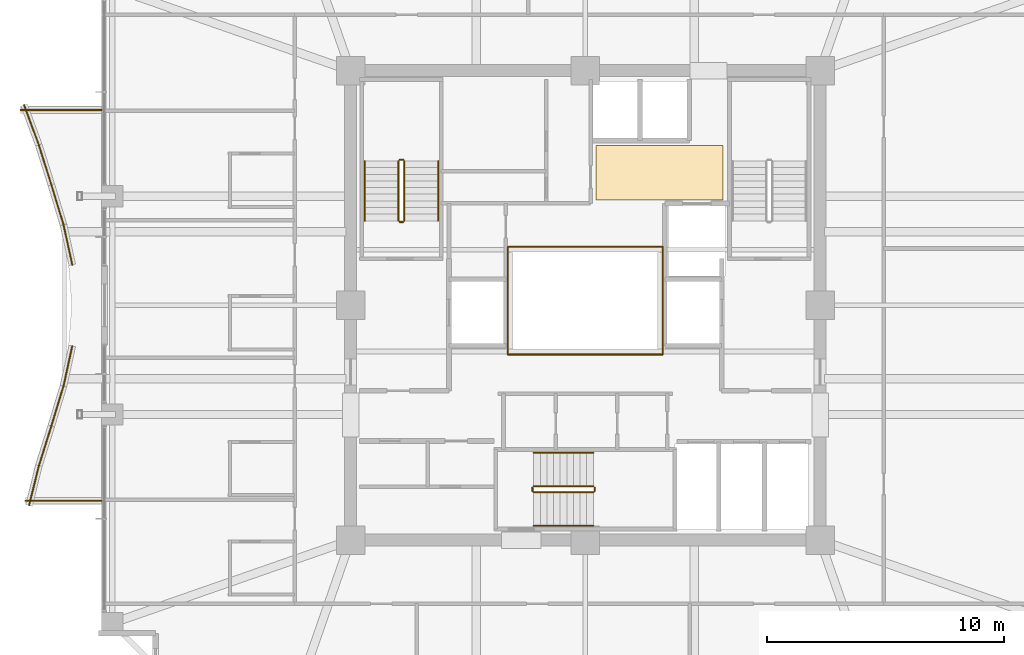
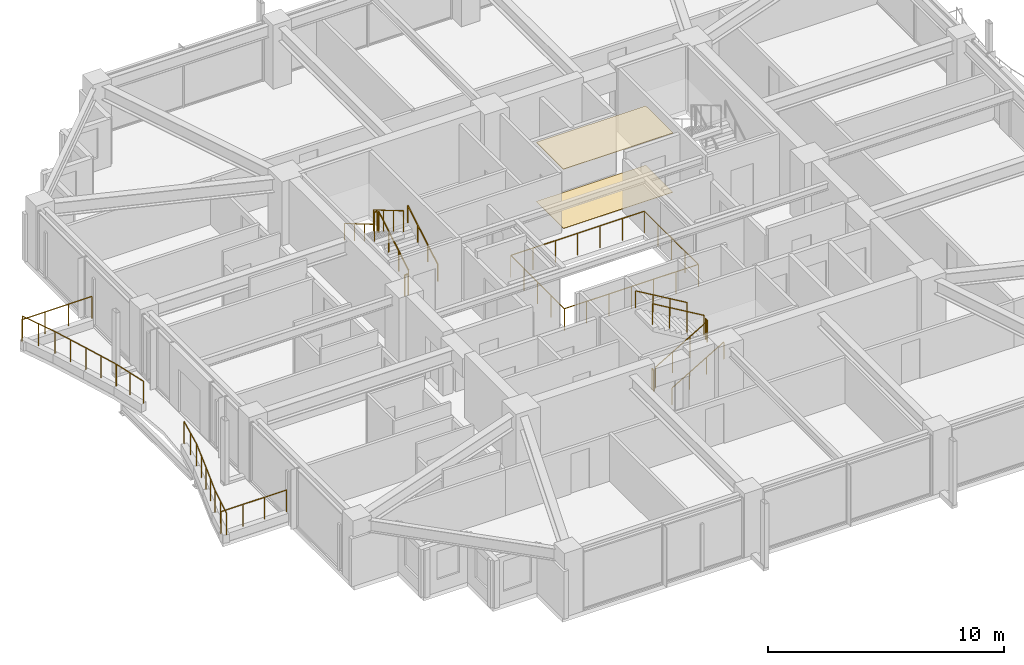
# One storey, part 34 of 35: 26 railings, 2 coverings.
"""IFC4 building model written with IfcOpenShell, lengths in metres."""

import ifcopenshell
import ifcopenshell.guid

model = None  # the IFC model being written
_history = None  # IfcOwnerHistory: only IFC2X3 demands one
_inside = {}  # id of a spatial element -> (the spatial element, [elements in it])
_under = {}  # id of a project, library or spatial element -> (it, [spatial elements below it])
_declared = {}  # id of a project -> (the project, [libraries it declares])
_typed = {}  # id of a type object -> (the type object, [elements of that type])
_made_of = {}  # id of a material, layer set ... -> (it, [elements and type objects made of it])


def new_model(schema):
    """Start an empty IFC model of exactly this schema.

    Asked for "IFC4X3", IfcOpenShell would pick the latest addendum, in which some entities
    have other attributes; the version numbers below select the first issue.
    IFC2X3 requires an IfcOwnerHistory on every rooted entity: one is made here for all.
    """
    global model, _history
    if schema == "IFC4X3":
        model = ifcopenshell.file(schema_version=(4, 3, 0, 0))
    else:
        model = ifcopenshell.file(schema=schema)
    _inside.clear()
    _under.clear()
    _declared.clear()
    _typed.clear()
    _made_of.clear()
    _history = None
    if model.schema == "IFC2X3":
        org = make("IfcOrganization", Name="unknown")
        user = make(
            "IfcPersonAndOrganization",
            ThePerson=make("IfcPerson", FamilyName="unknown"),
            TheOrganization=org,
        )
        app = make(
            "IfcApplication",
            ApplicationDeveloper=org,
            Version="unknown",
            ApplicationFullName="unknown",
            ApplicationIdentifier="unknown",
        )
        _history = make(
            "IfcOwnerHistory",
            OwningUser=user,
            OwningApplication=app,
            ChangeAction="ADDED",
            CreationDate=0,
        )
    return model


def make(cls, **values):
    """One entity of the class cls with the attributes given. An attribute that is None is left unset."""
    return model.create_entity(
        cls, **{name: value for name, value in values.items() if value is not None}
    )


def rooted(cls, **values):
    """An entity with a GlobalId (a new one), such as an element, a storey or a relation."""
    return make(cls, GlobalId=ifcopenshell.guid.new(), OwnerHistory=_history, **values)


def si_unit(unit_type, name, prefix=None):
    """IfcSIUnit, for example si_unit("LENGTHUNIT", "METRE", prefix="MILLI")."""
    return make("IfcSIUnit", UnitType=unit_type, Prefix=prefix, Name=name)


def assignment(units):
    """IfcUnitAssignment: the units of a project."""
    return None if units is None else make("IfcUnitAssignment", Units=units)


def point(xyz):
    """IfcCartesianPoint."""
    return None if xyz is None else make("IfcCartesianPoint", Coordinates=xyz)


def direction(xyz):
    """IfcDirection."""
    return None if xyz is None else make("IfcDirection", DirectionRatios=xyz)


def frame(location, z_axis=None, x_axis=None):
    """IfcAxis2Placement3D, a coordinate frame: its origin and axes. An axis left out is left unset."""
    return make(
        "IfcAxis2Placement3D",
        Location=point(location),
        Axis=direction(z_axis),
        RefDirection=direction(x_axis),
    )


def frame_2d(location, x_axis=None):
    """IfcAxis2Placement2D, a coordinate frame in the plane: its origin and x axis."""
    return make(
        "IfcAxis2Placement2D", Location=point(location), RefDirection=direction(x_axis)
    )


def origin():
    """The frame at (0, 0, 0) with its axes left unset."""
    return frame((0.0, 0.0, 0.0))


def origin_2d():
    """The frame at (0, 0) in the plane with its x axis left unset."""
    return frame_2d((0.0, 0.0))


def place(relative_to, where):
    """IfcLocalPlacement: puts the frame where relative to a parent placement (None: the world)."""
    return make(
        "IfcLocalPlacement", PlacementRelTo=relative_to, RelativePlacement=where
    )


def context(
    kind, dimensions, precision=None, world=None, true_north=None, identifier=None
):
    """IfcGeometricRepresentationContext, for example the 3D "Model" context."""
    return make(
        "IfcGeometricRepresentationContext",
        ContextIdentifier=identifier,
        ContextType=kind,
        CoordinateSpaceDimension=dimensions,
        Precision=precision,
        WorldCoordinateSystem=world,
        TrueNorth=true_north,
    )


def subcontext(parent, identifier, kind, view, scale=None):
    """IfcGeometricRepresentationSubContext, for example "Body" below "Model"."""
    return make(
        "IfcGeometricRepresentationSubContext",
        ContextIdentifier=identifier,
        ContextType=kind,
        ParentContext=parent,
        TargetScale=scale,
        TargetView=view,
    )


def project(units=None, contexts=None):
    """IfcProject with its units and contexts."""
    return rooted(
        "IfcProject",
        Name="project",
        RepresentationContexts=contexts,
        UnitsInContext=assignment(units),
    )


def spatial(cls, under=None, at=None, **own):
    """A site, building, storey or space (cls), placed at a placement, below another one or the project."""
    s = rooted(cls, ObjectPlacement=at, **own)
    if under is not None:
        _under.setdefault(under.id(), (under, []))[1].append(s)
    return s


def polyline(points):
    """IfcPolyline through the points."""
    return make("IfcPolyline", Points=[point(p) for p in points])


def profile(cls, at=None, kind="AREA", **sizes):
    """A parametric profile (cls). Its sizes go by their IFC names, for example OverallWidth=200.0."""
    return make(cls, ProfileType=kind, Position=at, **sizes)


def circle(**sizes):
    """IfcCircleProfileDef."""
    return profile("IfcCircleProfileDef", **sizes)


def outline(outer, holes=None, kind="AREA"):
    """IfcArbitraryClosedProfileDef: a profile drawn as a closed curve; with holes, ...WithVoids."""
    if holes is None:
        return make("IfcArbitraryClosedProfileDef", ProfileType=kind, OuterCurve=outer)
    return make(
        "IfcArbitraryProfileDefWithVoids",
        ProfileType=kind,
        OuterCurve=outer,
        InnerCurves=holes,
    )


def extrude(swept, where, along, depth):
    """IfcExtrudedAreaSolid: the profile swept, set in the frame where, extruded along a direction by depth."""
    return make(
        "IfcExtrudedAreaSolid",
        SweptArea=swept,
        Position=where,
        ExtrudedDirection=direction(along),
        Depth=depth,
    )


def shape(context_of_items, identifier, shape_type, items):
    """IfcShapeRepresentation: the items that make up one representation, for example the "Body"."""
    return make(
        "IfcShapeRepresentation",
        ContextOfItems=context_of_items,
        RepresentationIdentifier=identifier,
        RepresentationType=shape_type,
        Items=items,
    )


def material(Name=None, Category=None):
    """IfcMaterial."""
    return make("IfcMaterial", Name=Name, Category=Category)


def layer(
    of_material, thickness, ventilated=None, Name=None, Category=None, Priority=None
):
    """IfcMaterialLayer: one layer of a wall or slab, of a material (None: an air gap)."""
    return make(
        "IfcMaterialLayer",
        Material=of_material,
        LayerThickness=thickness,
        IsVentilated=ventilated,
        Name=Name,
        Category=Category,
        Priority=Priority,
    )


def layer_set(layers, Name=None):
    """IfcMaterialLayerSet."""
    return make("IfcMaterialLayerSet", MaterialLayers=layers, LayerSetName=Name)


def made_of(thing, what):
    """Note that an element or type object is made of a material, layer set ...; save() writes the relation."""
    if what is not None:
        _made_of.setdefault(what.id(), (what, []))[1].append(thing)
    return thing


def type_object(cls, material=None, **own):
    """A type object (cls), such as IfcWallType, which elements share."""
    return made_of(rooted(cls, **own), material)


def element(
    cls,
    number,
    at=None,
    inside=None,
    cuts=None,
    type_object=None,
    material=None,
    context=None,
    identifier="Body",
    shape_type=None,
    held_by="IfcProductDefinitionShape",
    body=None,
    shapes=None,
    **own,
):
    """One element of the class cls, such as IfcWall. Its Tag is "e" and its number.

    at: its placement. inside: the storey or other place that contains it. cuts: it is an
    opening in that element (IfcRelVoidsElement). A single representation is given by context,
    identifier, shape_type and body (its items); several are given by shapes. held_by: the class
    of the entity that holds the representations. save() writes the other relations.
    """
    e = rooted(cls, Tag="e%d" % number, ObjectPlacement=at, **own)
    if body is not None:
        shapes = [shape(context, identifier, shape_type, body)]
    if shapes is not None:
        e.Representation = make(held_by, Representations=shapes)
    if inside is not None:
        _inside.setdefault(inside.id(), (inside, []))[1].append(e)
    if cuts is not None:
        rooted(
            "IfcRelVoidsElement", RelatingBuildingElement=cuts, RelatedOpeningElement=e
        )
    if type_object is not None:
        _typed.setdefault(type_object.id(), (type_object, []))[1].append(e)
    return made_of(e, material)


def aggregate(whole, parts):
    """IfcRelAggregates: a whole, such as a stair, and the parts it consists of."""
    return rooted("IfcRelAggregates", RelatingObject=whole, RelatedObjects=parts)


def save(model, path):
    """Write the relations noted so far, then the file.

    IfcRelAggregates (storeys below a building ...), IfcRelContainedInSpatialStructure (elements
    in a storey), IfcRelDefinesByType, IfcRelAssociatesMaterial and IfcRelDeclares: one each for
    every whole, place, type object, material and project.
    """
    for whole, parts in _under.values():
        aggregate(whole, parts)
    for where, things in _inside.values():
        rooted(
            "IfcRelContainedInSpatialStructure",
            RelatedElements=things,
            RelatingStructure=where,
        )
    for kind, things in _typed.values():
        rooted("IfcRelDefinesByType", RelatedObjects=things, RelatingType=kind)
    for what, things in _made_of.values():
        rooted("IfcRelAssociatesMaterial", RelatedObjects=things, RelatingMaterial=what)
    for by, libraries in _declared.values():
        rooted("IfcRelDeclares", RelatingContext=by, RelatedDefinitions=libraries)
    model.write(path)


model = new_model("IFC4")

# Units and contexts
model_context = context("Model", 3, precision=1e-05, world=origin(), true_north=direction((0.0, 1.0)))
body_context = subcontext(model_context, "Body", "Model", "MODEL_VIEW")
ifc_project = project(units=[si_unit("LENGTHUNIT", "METRE"), si_unit("AREAUNIT", "SQUARE_METRE"), si_unit("VOLUMEUNIT", "CUBIC_METRE"), si_unit("PLANEANGLEUNIT", "RADIAN"), si_unit("MASSUNIT", "GRAM", prefix="KILO")], contexts=[model_context])

# Site, building, storey
site_placement = place(None, origin())
site = spatial("IfcSite", under=ifc_project, at=site_placement, CompositionType="ELEMENT")
building_placement = place(site_placement, origin())
building = spatial("IfcBuilding", under=site, at=building_placement, Name="Kolvaren Belvedere", CompositionType="ELEMENT")
storey_placement = place(building_placement, frame((0.0, 0.0, 183.300048828125)))
storey = spatial("IfcBuildingStorey", under=building, at=storey_placement, Name="L53", CompositionType="ELEMENT", Elevation=183.300048828125)

# Coverings
ifc_material_1 = material(Name="Acoustic perforated gypsum board", Category="gypsum")
ifc_layer_1 = layer(ifc_material_1, 0.02490234375)
ifc_layer_set_1 = layer_set([ifc_layer_1], Name="Acoustic perforated gypsum board")
covering_type_1 = type_object("IfcCoveringType", Name="COV-CEIL-GYP", PredefinedType="CEILING", material=ifc_layer_set_1)
covering_1_placement = place(storey_placement, frame((0.0, 0.0, 3.054931640625)))
element("IfcCovering", 1, at=covering_1_placement, inside=storey, type_object=covering_type_1, Name="L53 Lift Lobby Acoustic Baffle Ceiling", PredefinedType="CEILING", context=body_context, shape_type="SweptSolid", body=[
    extrude(outline(polyline([(0.449951171875, 4.449951171875), (5.800048828125, 4.449951171875), (5.800048828125, 6.75), (0.449951171875, 6.75), (0.449951171875, 4.449951171875)])), origin(), (0.0, 0.0, 1.0), 0.02490234375),
])
ifc_material_2 = material(Name="Engineered Pacific white oak", Category="timber")
ifc_layer_2 = layer(ifc_material_2, 0.02001953125)
ifc_layer_set_2 = layer_set([ifc_layer_2], Name="Engineered Pacific white oak")
covering_type_2 = type_object("IfcCoveringType", Name="COV-FLR-OAK", PredefinedType="FLOORING", material=ifc_layer_set_2)
covering_2_placement = place(storey_placement, origin())
element("IfcCovering", 2, at=covering_2_placement, inside=storey, type_object=covering_type_2, Name="L53 Lift Lobby Finish Flooring", PredefinedType="FLOORING", context=body_context, shape_type="SweptSolid", body=[
    extrude(outline(polyline([(0.449951171875, 4.449951171875), (5.800048828125, 4.449951171875), (5.800048828125, 6.75), (0.449951171875, 6.75), (0.449951171875, 4.449951171875)])), origin(), (0.0, 0.0, 1.0), 0.02001953125),
])

# Railings
ifc_material_3 = material(Name="Laminated glass & stainless-steel cap rail", Category="steel")
railing_type_1 = type_object("IfcRailingType", Name="RL-ATR-1150", PredefinedType="BALUSTRADE", material=ifc_material_3)
for number, where, name in (
    (3, (-3.27001953125, 2.469970703125, 0.0), "L53 Atrium North Glass Balustrade"),
    (4, (-3.27001953125, -2.070068359375, 0.0), "L53 Atrium South Glass Balustrade"),
):
    element("IfcRailing", number, at=place(storey_placement, frame(where)), inside=storey, type_object=railing_type_1, Name=name, PredefinedType="BALUSTRADE", context=body_context, shape_type="SweptSolid", body=[
        extrude(circle(Radius=0.02392578125, at=origin_2d()), frame((0.0, 0.0, 1.1259765625), z_axis=(1.0, 0.0, 0.0), x_axis=(0.0, 1.0, 0.0)), (0.0, 0.0, 1.0), 6.5400390625),
        extrude(circle(Radius=0.02099609375, at=origin_2d()), origin(), (0.0, 0.0, 1.0), 1.101806640625),
        extrude(circle(Radius=0.02099609375, at=origin_2d()), frame((1.090087890625, 0.0, 0.0)), (0.0, 0.0, 1.0), 1.101806640625),
        extrude(circle(Radius=0.02099609375, at=origin_2d()), frame((2.179931640625, 0.0, 0.0)), (0.0, 0.0, 1.0), 1.101806640625),
        extrude(circle(Radius=0.02099609375, at=origin_2d()), frame((3.27001953125, 0.0, 0.0)), (0.0, 0.0, 1.0), 1.101806640625),
        extrude(circle(Radius=0.02099609375, at=origin_2d()), frame((4.360107421875, 0.0, 0.0)), (0.0, 0.0, 1.0), 1.101806640625),
        extrude(circle(Radius=0.02099609375, at=origin_2d()), frame((5.449951171875, 0.0, 0.0)), (0.0, 0.0, 1.0), 1.101806640625),
        extrude(circle(Radius=0.02099609375, at=origin_2d()), frame((6.5400390625, 0.0, 0.0)), (0.0, 0.0, 1.0), 1.101806640625),
    ])
for number, where, name in (
    (5, (-3.27001953125, -2.070068359375, 0.0), "L53 Atrium West Glass Balustrade"),
    (6, (3.27001953125, -2.070068359375, 0.0), "L53 Atrium East Glass Balustrade"),
):
    element("IfcRailing", number, at=place(storey_placement, frame(where)), inside=storey, type_object=railing_type_1, Name=name, PredefinedType="BALUSTRADE", context=body_context, shape_type="SweptSolid", body=[
        extrude(circle(Radius=0.02392578125, at=origin_2d()), frame((0.0, 0.0, 1.1259765625), z_axis=(0.0, 1.0, 0.0), x_axis=(-1.0, 0.0, 0.0)), (0.0, 0.0, 1.0), 4.5400390625),
        extrude(circle(Radius=0.02099609375, at=origin_2d()), origin(), (0.0, 0.0, 1.0), 1.101806640625),
        extrude(circle(Radius=0.02099609375, at=origin_2d()), frame((0.0, 1.135009765625, 0.0)), (0.0, 0.0, 1.0), 1.101806640625),
        extrude(circle(Radius=0.02099609375, at=origin_2d()), frame((0.0, 2.27001953125, 0.0)), (0.0, 0.0, 1.0), 1.101806640625),
        extrude(circle(Radius=0.02099609375, at=origin_2d()), frame((0.0, 3.405029296875, 0.0)), (0.0, 0.0, 1.0), 1.101806640625),
        extrude(circle(Radius=0.02099609375, at=origin_2d()), frame((0.0, 4.5400390625, 0.0)), (0.0, 0.0, 1.0), 1.101806640625),
    ])
ifc_material_4 = material(Name="Anodised pale-metal aluminium & laminated glass guard", Category="aluminium")
railing_type_2 = type_object("IfcRailingType", Name="RL-GUARD-1150", PredefinedType="GUARDRAIL", material=ifc_material_4)
railing_1_placement = place(storey_placement, frame((-23.669921875, 8.455322265625, 0.3798828125)))
element("IfcRailing", 7, at=railing_1_placement, inside=storey, type_object=railing_type_2, Name="L53 Exterior Deck Safety Guard BAL-W-1", PredefinedType="GUARDRAIL", context=body_context, shape_type="SweptSolid", body=[
    extrude(circle(Radius=0.02392578125, at=origin_2d()), frame((0.0, 0.0, 1.1259765625), z_axis=(0.346292864983, -0.938126458246, 0.0), x_axis=(0.938126458246, 0.346292864983, 0.0)), (0.0, 0.0, 1.0), 1.790771484375),
    extrude(circle(Radius=0.02099609375, at=origin_2d()), origin(), (0.0, 0.0, 1.0), 1.101806640625),
    extrude(circle(Radius=0.02099609375, at=origin_2d()), frame((0.31005859375, -0.83984375, 0.0)), (0.0, 0.0, 1.0), 1.101806640625),
    extrude(circle(Radius=0.02099609375, at=origin_2d()), frame((0.6201171875, -1.679931640625, 0.0)), (0.0, 0.0, 1.0), 1.101806640625),
])
railing_2_placement = place(storey_placement, frame((-23.047119140625, 6.767822265625, 0.3798828125)))
element("IfcRailing", 8, at=railing_2_placement, inside=storey, type_object=railing_type_2, Name="L53 Exterior Deck Safety Guard BAL-W-2", PredefinedType="GUARDRAIL", context=body_context, shape_type="SweptSolid", body=[
    extrude(circle(Radius=0.02392578125, at=origin_2d()), frame((0.0, 0.0, 1.1259765625), z_axis=(0.299624691176, -0.954057149461, 0.0), x_axis=(0.954057149461, 0.299624691176, 0.0)), (0.0, 0.0, 1.0), 1.7607421875),
    extrude(circle(Radius=0.02099609375, at=origin_2d()), origin(), (0.0, 0.0, 1.0), 1.101806640625),
    extrude(circle(Radius=0.02099609375, at=origin_2d()), frame((0.263671875, -0.83984375, 0.0)), (0.0, 0.0, 1.0), 1.101806640625),
    extrude(circle(Radius=0.02099609375, at=origin_2d()), frame((0.527587890625, -1.679931640625, 0.0)), (0.0, 0.0, 1.0), 1.101806640625),
])
railing_3_placement = place(storey_placement, frame((-22.51904296875, 5.086669921875, 0.3798828125)))
element("IfcRailing", 9, at=railing_3_placement, inside=storey, type_object=railing_type_2, Name="L53 Exterior Deck Safety Guard BAL-W-3", PredefinedType="GUARDRAIL", context=body_context, shape_type="SweptSolid", body=[
    extrude(circle(Radius=0.02392578125, at=origin_2d()), frame((0.0, 0.0, 1.1259765625), z_axis=(0.290840734999, -0.956771481005, 0.0), x_axis=(0.956771481005, 0.290840734999, 0.0)), (0.0, 0.0, 1.0), 1.756103515625),
    extrude(circle(Radius=0.02099609375, at=origin_2d()), origin(), (0.0, 0.0, 1.0), 1.101806640625),
    extrude(circle(Radius=0.02099609375, at=origin_2d()), frame((0.25537109375, -0.840087890625, 0.0)), (0.0, 0.0, 1.0), 1.101806640625),
    extrude(circle(Radius=0.02099609375, at=origin_2d()), frame((0.5107421875, -1.68017578125, 0.0)), (0.0, 0.0, 1.0), 1.101806640625),
])
railing_4_placement = place(storey_placement, frame((-22.0048828125, 3.394287109375, 0.3798828125)))
element("IfcRailing", 10, at=railing_4_placement, inside=storey, type_object=railing_type_2, Name="L53 Exterior Deck Safety Guard BAL-W-4", PredefinedType="GUARDRAIL", context=body_context, shape_type="SweptSolid", body=[
    extrude(circle(Radius=0.02392578125, at=origin_2d()), frame((0.0, 0.0, 1.1259765625), z_axis=(0.213773077423, -0.976883345835, 0.0), x_axis=(0.976883345835, 0.213773077423, 0.0)), (0.0, 0.0, 1.0), 1.719970703125),
    extrude(circle(Radius=0.02099609375, at=origin_2d()), origin(), (0.0, 0.0, 1.0), 1.101806640625),
    extrude(circle(Radius=0.02099609375, at=origin_2d()), frame((0.183837890625, -0.840087890625, 0.0)), (0.0, 0.0, 1.0), 1.101806640625),
    extrude(circle(Radius=0.02099609375, at=origin_2d()), frame((0.36767578125, -1.68017578125, 0.0)), (0.0, 0.0, 1.0), 1.101806640625),
])
railing_5_placement = place(storey_placement, frame((-21.63720703125, -1.714111328125, 0.3798828125)))
element("IfcRailing", 11, at=railing_5_placement, inside=storey, type_object=railing_type_2, Name="L53 Exterior Deck Safety Guard BAL-W-7", PredefinedType="GUARDRAIL", context=body_context, shape_type="SweptSolid", body=[
    extrude(circle(Radius=0.02392578125, at=origin_2d()), frame((0.0, 0.0, 1.1259765625), z_axis=(-0.213773077423, -0.976883345835, 0.0), x_axis=(0.976883345835, -0.213773077423, 0.0)), (0.0, 0.0, 1.0), 1.719970703125),
    extrude(circle(Radius=0.02099609375, at=origin_2d()), origin(), (0.0, 0.0, 1.0), 1.101806640625),
    extrude(circle(Radius=0.02099609375, at=origin_2d()), frame((-0.183837890625, -0.840087890625, 0.0)), (0.0, 0.0, 1.0), 1.101806640625),
    extrude(circle(Radius=0.02099609375, at=origin_2d()), frame((-0.36767578125, -1.68017578125, 0.0)), (0.0, 0.0, 1.0), 1.101806640625),
])
railing_6_placement = place(storey_placement, frame((-22.00830078125, -3.406494140625, 0.3798828125)))
element("IfcRailing", 12, at=railing_6_placement, inside=storey, type_object=railing_type_2, Name="L53 Exterior Deck Safety Guard BAL-W-8", PredefinedType="GUARDRAIL", context=body_context, shape_type="SweptSolid", body=[
    extrude(circle(Radius=0.02392578125, at=origin_2d()), frame((0.0, 0.0, 1.1259765625), z_axis=(-0.290840734999, -0.956771481005, 0.0), x_axis=(0.956771481005, -0.290840734999, 0.0)), (0.0, 0.0, 1.0), 1.756103515625),
    extrude(circle(Radius=0.02099609375, at=origin_2d()), origin(), (0.0, 0.0, 1.0), 1.101806640625),
    extrude(circle(Radius=0.02099609375, at=origin_2d()), frame((-0.25537109375, -0.840087890625, 0.0)), (0.0, 0.0, 1.0), 1.101806640625),
    extrude(circle(Radius=0.02099609375, at=origin_2d()), frame((-0.5107421875, -1.68017578125, 0.0)), (0.0, 0.0, 1.0), 1.101806640625),
])
railing_7_placement = place(storey_placement, frame((-22.51953125, -5.087890625, 0.3798828125)))
element("IfcRailing", 13, at=railing_7_placement, inside=storey, type_object=railing_type_2, Name="L53 Exterior Deck Safety Guard BAL-W-9", PredefinedType="GUARDRAIL", context=body_context, shape_type="SweptSolid", body=[
    extrude(circle(Radius=0.02392578125, at=origin_2d()), frame((0.0, 0.0, 1.1259765625), z_axis=(-0.299624691176, -0.954057149461, 0.0), x_axis=(0.954057149461, -0.299624691176, 0.0)), (0.0, 0.0, 1.0), 1.7607421875),
    extrude(circle(Radius=0.02099609375, at=origin_2d()), origin(), (0.0, 0.0, 1.0), 1.101806640625),
    extrude(circle(Radius=0.02099609375, at=origin_2d()), frame((-0.263671875, -0.83984375, 0.0)), (0.0, 0.0, 1.0), 1.101806640625),
    extrude(circle(Radius=0.02099609375, at=origin_2d()), frame((-0.527587890625, -1.679931640625, 0.0)), (0.0, 0.0, 1.0), 1.101806640625),
])
railing_8_placement = place(storey_placement, frame((-23.04443359375, -6.75830078125, 0.3798828125)))
element("IfcRailing", 14, at=railing_8_placement, inside=storey, type_object=railing_type_2, Name="L53 Exterior Deck Safety Guard BAL-W-10", PredefinedType="GUARDRAIL", context=body_context, shape_type="SweptSolid", body=[
    extrude(circle(Radius=0.02392578125, at=origin_2d()), frame((0.0, 0.0, 1.1259765625), z_axis=(-0.239180748277, -0.970975061293, 0.0), x_axis=(0.970975061293, -0.239180748277, 0.0)), (0.0, 0.0, 1.0), 1.730224609375),
    extrude(circle(Radius=0.02099609375, at=origin_2d()), origin(), (0.0, 0.0, 1.0), 1.101806640625),
    extrude(circle(Radius=0.02099609375, at=origin_2d()), frame((-0.20703125, -0.83984375, 0.0)), (0.0, 0.0, 1.0), 1.101806640625),
    extrude(circle(Radius=0.02099609375, at=origin_2d()), frame((-0.413818359375, -1.679931640625, 0.0)), (0.0, 0.0, 1.0), 1.101806640625),
])
railing_9_placement = place(storey_placement, frame((-23.61376953125, -8.239990234375, 0.3798828125)))
element("IfcRailing", 15, at=railing_9_placement, inside=storey, type_object=railing_type_2, Name="L53 Exterior Deck Safety Guard BAL-W-11", PredefinedType="GUARDRAIL", context=body_context, shape_type="SweptSolid", body=[
    extrude(circle(Radius=0.02392578125, at=origin_2d()), frame((0.0, 0.0, 1.1259765625), z_axis=(1.0, 0.0, 0.0), x_axis=(0.0, 1.0, 0.0)), (0.0, 0.0, 1.0), 3.2138671875),
    extrude(circle(Radius=0.02099609375, at=origin_2d()), origin(), (0.0, 0.0, 1.0), 1.101806640625),
    extrude(circle(Radius=0.02099609375, at=origin_2d()), frame((1.0712890625, 0.0, 0.0)), (0.0, 0.0, 1.0), 1.101806640625),
    extrude(circle(Radius=0.02099609375, at=origin_2d()), frame((2.142578125, 0.0, 0.0)), (0.0, 0.0, 1.0), 1.101806640625),
    extrude(circle(Radius=0.02099609375, at=origin_2d()), frame((3.2138671875, 0.0, 0.0)), (0.0, 0.0, 1.0), 1.101806640625),
])
railing_10_placement = place(storey_placement, frame((-20.39990234375, 8.239990234375, 0.3798828125)))
element("IfcRailing", 16, at=railing_10_placement, inside=storey, type_object=railing_type_2, Name="L53 Exterior Deck Safety Guard BAL-W-22", PredefinedType="GUARDRAIL", context=body_context, shape_type="SweptSolid", body=[
    extrude(circle(Radius=0.02392578125, at=origin_2d()), frame((0.0, 0.0, 1.1259765625), z_axis=(-1.0, 0.0, 0.0), x_axis=(0.0, -1.0, 0.0)), (0.0, 0.0, 1.0), 3.420166015625),
    extrude(circle(Radius=0.02099609375, at=origin_2d()), origin(), (0.0, 0.0, 1.0), 1.101806640625),
    extrude(circle(Radius=0.02099609375, at=origin_2d()), frame((-1.14013671875, 0.0, 0.0)), (0.0, 0.0, 1.0), 1.101806640625),
    extrude(circle(Radius=0.02099609375, at=origin_2d()), frame((-2.280029296875, 0.0, 0.0)), (0.0, 0.0, 1.0), 1.101806640625),
    extrude(circle(Radius=0.02099609375, at=origin_2d()), frame((-3.420166015625, 0.0, 0.0)), (0.0, 0.0, 1.0), 1.101806640625),
])
ifc_material_5 = material(Name="Brushed stainless-steel handrail", Category="steel")
railing_type_3 = type_object("IfcRailingType", Name="RL-HANDRAIL-920", PredefinedType="HANDRAIL", material=ifc_material_5)
railing_11_placement = place(storey_placement, frame((-6.2099609375, 3.570068359375, 0.1650390625)))
element("IfcRailing", 17, at=railing_11_placement, inside=storey, type_object=railing_type_3, Name="L53 ST-1 stair handrail 1", PredefinedType="HANDRAIL", context=body_context, shape_type="SweptSolid", body=[
    extrude(circle(Radius=0.02392578125, at=origin_2d()), frame((0.0, 0.0, 0.8759765625), z_axis=(0.0, 0.861560626758, 0.507654692109), x_axis=(-1.0, 0.0, 0.0)), (0.0, 0.0, 1.0), 2.925048828125),
    extrude(circle(Radius=0.02099609375, at=origin_2d()), origin(), (0.0, 0.0, 1.0), 0.851806640625),
    extrude(circle(Radius=0.02099609375, at=origin_2d()), frame((0.0, 0.840087890625, 0.494873046875)), (0.0, 0.0, 1.0), 0.851806640625),
    extrude(circle(Radius=0.02099609375, at=origin_2d()), frame((0.0, 1.679931640625, 0.989990234375)), (0.0, 0.0, 1.0), 0.851806640625),
    extrude(circle(Radius=0.02099609375, at=origin_2d()), frame((0.0, 2.52001953125, 1.48486328125)), (0.0, 0.0, 1.0), 0.851806640625),
])
railing_12_placement = place(storey_placement, frame((-9.300048828125, 6.090087890625, 1.81494140625)))
element("IfcRailing", 18, at=railing_12_placement, inside=storey, type_object=railing_type_3, Name="L53 ST-1 stair handrail 2", PredefinedType="HANDRAIL", context=body_context, shape_type="SweptSolid", body=[
    extrude(circle(Radius=0.02392578125, at=origin_2d()), frame((0.0, 0.0, 0.8759765625), z_axis=(0.0, -0.86152411907, 0.507716645641), x_axis=(1.0, 0.0, 0.0)), (0.0, 0.0, 1.0), 2.925048828125),
    extrude(circle(Radius=0.02099609375, at=origin_2d()), origin(), (0.0, 0.0, 1.0), 0.851806640625),
    extrude(circle(Radius=0.02099609375, at=origin_2d()), frame((0.0, -0.840087890625, 0.4951171875)), (0.0, 0.0, 1.0), 0.851806640625),
    extrude(circle(Radius=0.02099609375, at=origin_2d()), frame((0.0, -1.679931640625, 0.989990234375)), (0.0, 0.0, 1.0), 0.851806640625),
    extrude(circle(Radius=0.02099609375, at=origin_2d()), frame((0.0, -2.52001953125, 1.485107421875)), (0.0, 0.0, 1.0), 0.851806640625),
])
railing_13_placement = place(storey_placement, frame((-2.179931640625, -9.300048828125, 0.1650390625)))
element("IfcRailing", 19, at=railing_13_placement, inside=storey, type_object=railing_type_3, Name="L53 ST-3 stair handrail 1", PredefinedType="HANDRAIL", context=body_context, shape_type="SweptSolid", body=[
    extrude(circle(Radius=0.02392578125, at=origin_2d()), frame((0.0, 0.0, 0.8759765625), z_axis=(0.861560626758, 0.0, 0.507654692109), x_axis=(0.0, 1.0, 0.0)), (0.0, 0.0, 1.0), 2.925048828125),
    extrude(circle(Radius=0.02099609375, at=origin_2d()), origin(), (0.0, 0.0, 1.0), 0.851806640625),
    extrude(circle(Radius=0.02099609375, at=origin_2d()), frame((0.840087890625, 0.0, 0.494873046875)), (0.0, 0.0, 1.0), 0.851806640625),
    extrude(circle(Radius=0.02099609375, at=origin_2d()), frame((1.679931640625, 0.0, 0.989990234375)), (0.0, 0.0, 1.0), 0.851806640625),
    extrude(circle(Radius=0.02099609375, at=origin_2d()), frame((2.52001953125, 0.0, 1.48486328125)), (0.0, 0.0, 1.0), 0.851806640625),
])
railing_14_placement = place(storey_placement, frame((0.340087890625, -6.2099609375, 1.81494140625)))
element("IfcRailing", 20, at=railing_14_placement, inside=storey, type_object=railing_type_3, Name="L53 ST-3 stair handrail 2", PredefinedType="HANDRAIL", context=body_context, shape_type="SweptSolid", body=[
    extrude(circle(Radius=0.02392578125, at=origin_2d()), frame((0.0, 0.0, 0.8759765625), z_axis=(-0.86152411907, 0.0, 0.507716645641), x_axis=(0.0, -1.0, 0.0)), (0.0, 0.0, 1.0), 2.925048828125),
    extrude(circle(Radius=0.02099609375, at=origin_2d()), origin(), (0.0, 0.0, 1.0), 0.851806640625),
    extrude(circle(Radius=0.02099609375, at=origin_2d()), frame((-0.840087890625, 0.0, 0.4951171875)), (0.0, 0.0, 1.0), 0.851806640625),
    extrude(circle(Radius=0.02099609375, at=origin_2d()), frame((-1.679931640625, 0.0, 0.989990234375)), (0.0, 0.0, 1.0), 0.851806640625),
    extrude(circle(Radius=0.02099609375, at=origin_2d()), frame((-2.52001953125, 0.0, 1.485107421875)), (0.0, 0.0, 1.0), 0.851806640625),
])
ifc_material_6 = material(Name="Painted tubular steel stair guard", Category="steel")
railing_type_4 = type_object("IfcRailingType", Name="RL-STGUARD-1100", PredefinedType="GUARDRAIL", material=ifc_material_6)
railing_15_placement = place(storey_placement, frame((-7.6298828125, 3.570068359375, 0.1650390625)))
element("IfcRailing", 21, at=railing_15_placement, inside=storey, type_object=railing_type_4, Name="L53 ST-1 stair guard 1", PredefinedType="GUARDRAIL", context=body_context, shape_type="SweptSolid", body=[
    extrude(circle(Radius=0.02392578125, at=origin_2d()), frame((0.0, 0.0, 1.076171875), z_axis=(0.0, 0.861560626758, 0.507654692109), x_axis=(-1.0, 0.0, 0.0)), (0.0, 0.0, 1.0), 2.925048828125),
    extrude(circle(Radius=0.02099609375, at=origin_2d()), origin(), (0.0, 0.0, 1.0), 1.052001953125),
    extrude(circle(Radius=0.02099609375, at=origin_2d()), frame((0.0, 0.840087890625, 0.494873046875)), (0.0, 0.0, 1.0), 1.052001953125),
    extrude(circle(Radius=0.02099609375, at=origin_2d()), frame((0.0, 1.679931640625, 0.989990234375)), (0.0, 0.0, 1.0), 1.052001953125),
    extrude(circle(Radius=0.02099609375, at=origin_2d()), frame((0.0, 2.52001953125, 1.48486328125)), (0.0, 0.0, 1.0), 1.052001953125),
])
railing_16_placement = place(storey_placement, frame((-7.679931640625, 6.139892578125, 1.64990234375)))
element("IfcRailing", 22, at=railing_16_placement, inside=storey, type_object=railing_type_4, Name="L53 ST-1 stair guard 2", PredefinedType="GUARDRAIL", context=body_context, shape_type="SweptSolid", body=[
    extrude(circle(Radius=0.02392578125, at=origin_2d()), frame((0.0, 0.0, 1.076171875), z_axis=(-1.0, 0.0, 0.0), x_axis=(0.0, -1.0, 0.0)), (0.0, 0.0, 1.0), 0.150146484375),
    extrude(circle(Radius=0.02099609375, at=origin_2d()), origin(), (0.0, 0.0, 1.0), 1.052001953125),
    extrude(circle(Radius=0.02099609375, at=origin_2d()), frame((-0.150146484375, 0.0, 0.0)), (0.0, 0.0, 1.0), 1.052001953125),
])
railing_17_placement = place(storey_placement, frame((-7.8798828125, 6.090087890625, 1.81494140625)))
element("IfcRailing", 23, at=railing_17_placement, inside=storey, type_object=railing_type_4, Name="L53 ST-1 stair guard 3", PredefinedType="GUARDRAIL", context=body_context, shape_type="SweptSolid", body=[
    extrude(circle(Radius=0.02392578125, at=origin_2d()), frame((0.0, 0.0, 1.076171875), z_axis=(0.0, -0.86152411907, 0.507716645641), x_axis=(1.0, 0.0, 0.0)), (0.0, 0.0, 1.0), 2.925048828125),
    extrude(circle(Radius=0.02099609375, at=origin_2d()), origin(), (0.0, 0.0, 1.0), 1.052001953125),
    extrude(circle(Radius=0.02099609375, at=origin_2d()), frame((0.0, -0.840087890625, 0.4951171875)), (0.0, 0.0, 1.0), 1.052001953125),
    extrude(circle(Radius=0.02099609375, at=origin_2d()), frame((0.0, -1.679931640625, 0.989990234375)), (0.0, 0.0, 1.0), 1.052001953125),
    extrude(circle(Radius=0.02099609375, at=origin_2d()), frame((0.0, -2.52001953125, 1.485107421875)), (0.0, 0.0, 1.0), 1.052001953125),
])
railing_18_placement = place(storey_placement, frame((-7.679931640625, 3.52001953125, 0.0)))
element("IfcRailing", 24, at=railing_18_placement, inside=storey, type_object=railing_type_4, Name="L53 ST-1 stair guard 4", PredefinedType="GUARDRAIL", context=body_context, shape_type="SweptSolid", body=[
    extrude(circle(Radius=0.02392578125, at=origin_2d()), frame((0.0, 0.0, 1.076171875), z_axis=(-1.0, 0.0, 0.0), x_axis=(0.0, -1.0, 0.0)), (0.0, 0.0, 1.0), 0.150146484375),
    extrude(circle(Radius=0.02099609375, at=origin_2d()), origin(), (0.0, 0.0, 1.0), 1.052001953125),
    extrude(circle(Radius=0.02099609375, at=origin_2d()), frame((-0.150146484375, 0.0, 0.0)), (0.0, 0.0, 1.0), 1.052001953125),
])
railing_19_placement = place(storey_placement, frame((-2.179931640625, -7.8798828125, 0.1650390625)))
element("IfcRailing", 25, at=railing_19_placement, inside=storey, type_object=railing_type_4, Name="L53 ST-3 stair guard 1", PredefinedType="GUARDRAIL", context=body_context, shape_type="SweptSolid", body=[
    extrude(circle(Radius=0.02392578125, at=origin_2d()), frame((0.0, 0.0, 1.076171875), z_axis=(0.861560626758, 0.0, 0.507654692109), x_axis=(0.0, 1.0, 0.0)), (0.0, 0.0, 1.0), 2.925048828125),
    extrude(circle(Radius=0.02099609375, at=origin_2d()), origin(), (0.0, 0.0, 1.0), 1.052001953125),
    extrude(circle(Radius=0.02099609375, at=origin_2d()), frame((0.840087890625, 0.0, 0.494873046875)), (0.0, 0.0, 1.0), 1.052001953125),
    extrude(circle(Radius=0.02099609375, at=origin_2d()), frame((1.679931640625, 0.0, 0.989990234375)), (0.0, 0.0, 1.0), 1.052001953125),
    extrude(circle(Radius=0.02099609375, at=origin_2d()), frame((2.52001953125, 0.0, 1.48486328125)), (0.0, 0.0, 1.0), 1.052001953125),
])
railing_20_placement = place(storey_placement, frame((0.389892578125, -7.830078125, 1.64990234375)))
element("IfcRailing", 26, at=railing_20_placement, inside=storey, type_object=railing_type_4, Name="L53 ST-3 stair guard 2", PredefinedType="GUARDRAIL", context=body_context, shape_type="SweptSolid", body=[
    extrude(circle(Radius=0.02392578125, at=origin_2d()), frame((0.0, 0.0, 1.076171875), z_axis=(0.0, 1.0, 0.0), x_axis=(-1.0, 0.0, 0.0)), (0.0, 0.0, 1.0), 0.150146484375),
    extrude(circle(Radius=0.02099609375, at=origin_2d()), origin(), (0.0, 0.0, 1.0), 1.052001953125),
    extrude(circle(Radius=0.02099609375, at=origin_2d()), frame((0.0, 0.150146484375, 0.0)), (0.0, 0.0, 1.0), 1.052001953125),
])
railing_21_placement = place(storey_placement, frame((0.340087890625, -7.6298828125, 1.81494140625)))
element("IfcRailing", 27, at=railing_21_placement, inside=storey, type_object=railing_type_4, Name="L53 ST-3 stair guard 3", PredefinedType="GUARDRAIL", context=body_context, shape_type="SweptSolid", body=[
    extrude(circle(Radius=0.02392578125, at=origin_2d()), frame((0.0, 0.0, 1.076171875), z_axis=(-0.86152411907, 0.0, 0.507716645641), x_axis=(0.0, -1.0, 0.0)), (0.0, 0.0, 1.0), 2.925048828125),
    extrude(circle(Radius=0.02099609375, at=origin_2d()), origin(), (0.0, 0.0, 1.0), 1.052001953125),
    extrude(circle(Radius=0.02099609375, at=origin_2d()), frame((-0.840087890625, 0.0, 0.4951171875)), (0.0, 0.0, 1.0), 1.052001953125),
    extrude(circle(Radius=0.02099609375, at=origin_2d()), frame((-1.679931640625, 0.0, 0.989990234375)), (0.0, 0.0, 1.0), 1.052001953125),
    extrude(circle(Radius=0.02099609375, at=origin_2d()), frame((-2.52001953125, 0.0, 1.485107421875)), (0.0, 0.0, 1.0), 1.052001953125),
])
railing_22_placement = place(storey_placement, frame((-2.22998046875, -7.830078125, 0.0)))
element("IfcRailing", 28, at=railing_22_placement, inside=storey, type_object=railing_type_4, Name="L53 ST-3 stair guard 4", PredefinedType="GUARDRAIL", context=body_context, shape_type="SweptSolid", body=[
    extrude(circle(Radius=0.02392578125, at=origin_2d()), frame((0.0, 0.0, 1.076171875), z_axis=(0.0, 1.0, 0.0), x_axis=(-1.0, 0.0, 0.0)), (0.0, 0.0, 1.0), 0.150146484375),
    extrude(circle(Radius=0.02099609375, at=origin_2d()), origin(), (0.0, 0.0, 1.0), 1.052001953125),
    extrude(circle(Radius=0.02099609375, at=origin_2d()), frame((0.0, 0.150146484375, 0.0)), (0.0, 0.0, 1.0), 1.052001953125),
])

save(model, "model.ifc")
